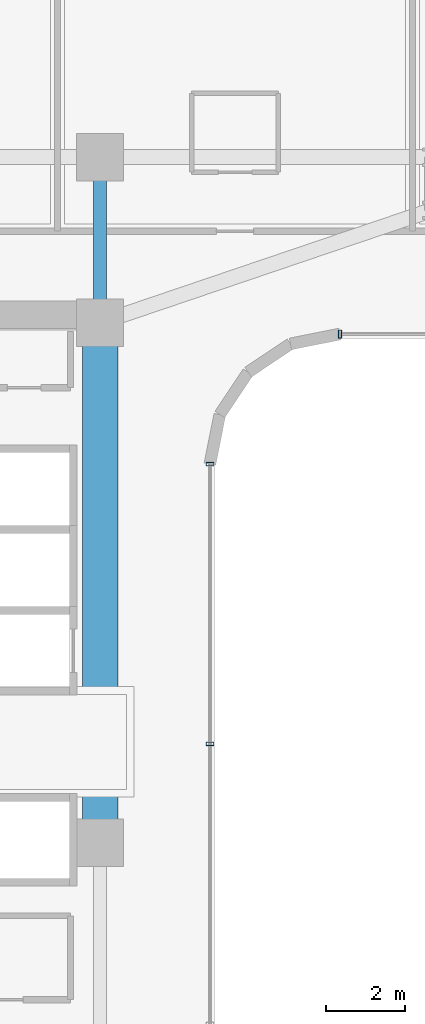
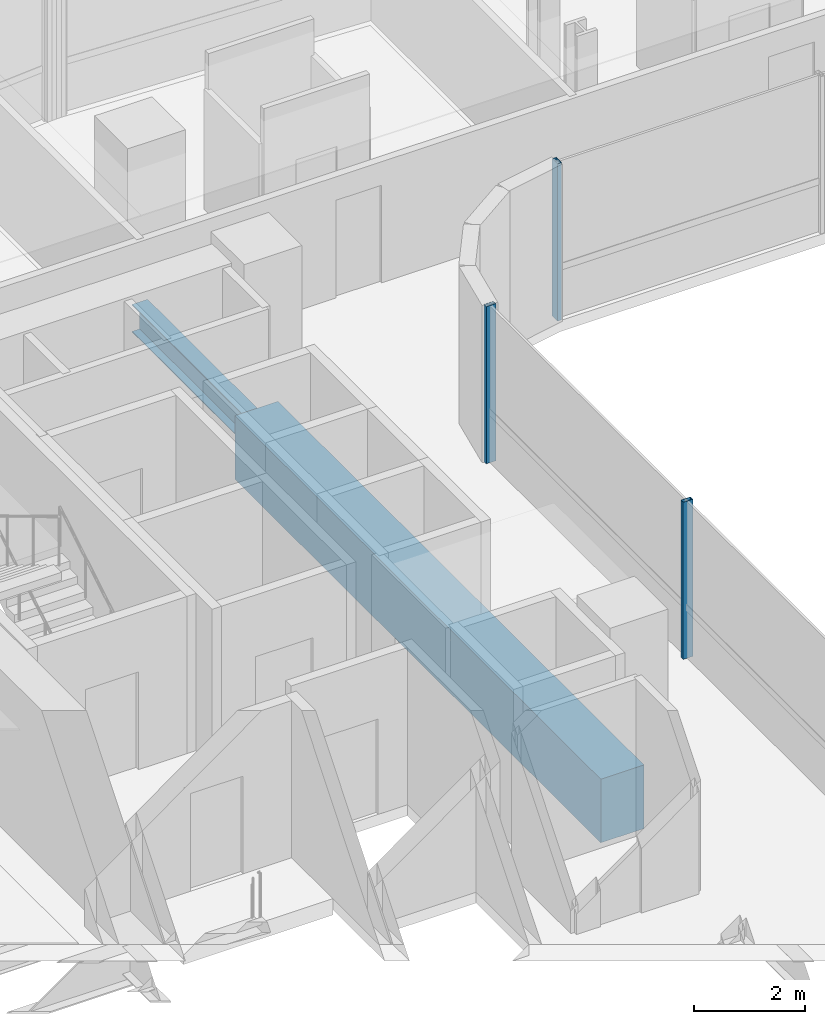
# One storey, part 10 of 35: 3 members, 2 beams, 2 elements without a shape of their own.
"""IFC4 building model written with IfcOpenShell, lengths in metres."""

from ifc_helpers import new_model, si_unit, direction, frame, origin, origin_2d, place, context, subcontext, project, spatial, rectangle, hollow_rectangle, i_section, extrude, source, transform, mapped, material, material_profile, profile_set, type_object, element, aggregate, save


model = new_model("IFC4")

# Units and contexts
model_context = context("Model", 3, precision=1e-05, world=origin(), true_north=direction((0.0, 1.0)))
body_context = subcontext(model_context, "Body", "Model", "MODEL_VIEW")
ifc_project = project(units=[si_unit("LENGTHUNIT", "METRE"), si_unit("AREAUNIT", "SQUARE_METRE"), si_unit("VOLUMEUNIT", "CUBIC_METRE"), si_unit("PLANEANGLEUNIT", "RADIAN"), si_unit("MASSUNIT", "GRAM", prefix="KILO")], contexts=[model_context])

# Site, building, storey
site_placement = place(None, origin())
site = spatial("IfcSite", under=ifc_project, at=site_placement, CompositionType="ELEMENT")
building_placement = place(site_placement, origin())
building = spatial("IfcBuilding", under=site, at=building_placement, Name="Valdorenza Pilgrim Sanctuary Tower", CompositionType="ELEMENT")
storey_placement = place(building_placement, frame((0.0, 0.0, 116.800048828125)))
storey = spatial("IfcBuildingStorey", under=building, at=storey_placement, Name="L29", CompositionType="ELEMENT", Elevation=116.800048828125)

# Beams
ifc_material_1 = material(Name="Concrete C60/75", Category="concrete")
ifc_material_profile_1 = material_profile(ifc_material_1, rectangle(XDim=0.89990234375, YDim=1.39990234375, at=origin_2d()), Name="RC 1400x900")
ifc_profile_set_1 = profile_set([ifc_material_profile_1], Name="Concrete C60/75")
beam_type_1 = type_object("IfcBeamType", Name="STR-BM-LNT-1400", PredefinedType="LINTEL", material=ifc_profile_set_1)
shared_shape_1 = source(origin(), body_context, "Body", "SweptSolid", [
    extrude(rectangle(XDim=0.89990234375, YDim=1.39990234375, at=origin_2d()), origin(), (0.0, 0.0, 1.0), 13.2001953125),
])
beam_1_placement = place(storey_placement, frame((-12.39990234375, -2.60009765625, -0.739990234375), z_axis=(0.0, 1.0, 0.0), x_axis=(-1.0, 0.0, 0.0)))
element("IfcBeam", 1, at=beam_1_placement, inside=storey, type_object=beam_type_1, Name="L29 Core A Coupling Lintel Girder", PredefinedType="LINTEL", context=body_context, shape_type="MappedRepresentation", body=[
    mapped(shared_shape_1, transform((0.0, 0.0, 0.0), x_axis=(1.0, 0.0, 0.0), y_axis=(0.0, 1.0, 0.0), z_axis=(0.0, 0.0, 1.0), scale=1.0)),
])
ifc_material_2 = material(Name="Steel ASTM A992 Grade 50", Category="steel")
ifc_material_profile_2 = material_profile(ifc_material_2, i_section(OverallWidth=0.323974609375, OverallDepth=0.611083984375, WebThickness=0.0126953125, FlangeThickness=0.01904296875, at=origin_2d()), Name="W24X104")
ifc_profile_set_2 = profile_set([ifc_material_profile_2], Name="Steel ASTM A992 Grade 50")
beam_type_2 = type_object("IfcBeamType", Name="STR-BM-GRD-W24B", PredefinedType="BEAM", material=ifc_profile_set_2)
shared_shape_2 = source(origin(), body_context, "Body", "SweptSolid", [
    extrude(i_section(OverallWidth=0.323974609375, OverallDepth=0.611083984375, WebThickness=0.0126953125, FlangeThickness=0.01904296875, at=origin_2d()), origin(), (0.0, 0.0, 1.0), 4.199951171875),
])
beam_2_placement = place(storey_placement, frame((-12.39990234375, 10.60009765625, -0.545654296875), z_axis=(0.0, 1.0, 0.0), x_axis=(-1.0, 0.0, 0.0)))
element("IfcBeam", 2, at=beam_2_placement, inside=storey, type_object=beam_type_2, Name="L29 Core Tie Girder CA-E-N1N2", PredefinedType="BEAM", context=body_context, shape_type="MappedRepresentation", body=[
    mapped(shared_shape_2, transform((0.0, 0.0, 0.0), x_axis=(1.0, 0.0, 0.0), y_axis=(0.0, 1.0, 0.0), z_axis=(0.0, 0.0, 1.0), scale=1.0)),
])

# Curtain wall, member
ifc_material_3 = material(Name="Curtain-wall IGU glazing", Category="glass")
curtain_wall_type = type_object("IfcCurtainWallType", Name="CW-SYS-02", PredefinedType="NOTDEFINED", material=ifc_material_3)
curtain_wall_1_placement = place(storey_placement, origin())
curtain_wall_1 = element("IfcCurtainWall", 3, at=curtain_wall_1_placement, inside=storey, type_object=curtain_wall_type, Name="L29 Curtain Wall CW-L29-1-36", PredefinedType="NOTDEFINED")
ifc_material_4 = material(Name="Anodised aluminium AW-6060", Category="aluminium")
ifc_material_profile_3 = material_profile(ifc_material_4, hollow_rectangle(XDim=0.0849609375, YDim=0.199951171875, WallThickness=0.0048828125, at=origin_2d()), Name="ALU-M 200x85x5")
ifc_profile_set_3 = profile_set([ifc_material_profile_3], Name="Anodised aluminium AW-6060")
member_type = type_object("IfcMemberType", Name="CW-MUL-02", PredefinedType="MULLION", material=ifc_profile_set_3)
shared_shape_3 = source(origin(), body_context, "Body", "SweptSolid", [
    extrude(hollow_rectangle(XDim=0.0849609375, YDim=0.199951171875, WallThickness=0.0048828125, at=origin_2d()), origin(), (0.0, 0.0, 1.0), 3.4599609375),
])
member_1_placement = place(storey_placement, frame((-6.310791015625, 10.31005859375, 0.0), z_axis=(0.0, 0.0, 1.0), x_axis=(-1.0, 0.0, 0.0)))
member_1 = element("IfcMember", 4, at=member_1_placement, type_object=member_type, Name="CW-L29-1-36 Mullion 4", PredefinedType="MULLION", context=body_context, shape_type="MappedRepresentation", body=[
    mapped(shared_shape_3, transform((0.0, 0.0, 0.0), x_axis=(1.0, 0.0, 0.0), y_axis=(0.0, 1.0, 0.0), z_axis=(0.0, 0.0, 1.0), scale=1.0)),
])
aggregate(curtain_wall_1, [member_1])

# Curtain wall, members
curtain_wall_2_placement = place(storey_placement, origin())
curtain_wall_2 = element("IfcCurtainWall", 5, at=curtain_wall_2_placement, inside=storey, type_object=curtain_wall_type, Name="L29 Curtain Wall CW-L29-1-41", PredefinedType="NOTDEFINED")
member_2_placement = place(storey_placement, frame((-9.610107421875, 7.0107421875, 0.0), z_axis=(0.0, 0.0, 1.0), x_axis=(0.0, -1.0, 0.0)))
member_2 = element("IfcMember", 6, at=member_2_placement, type_object=member_type, Name="CW-L29-1-41 Mullion 1", PredefinedType="MULLION", context=body_context, shape_type="MappedRepresentation", body=[
    mapped(shared_shape_3, transform((0.0, 0.0, 0.0), x_axis=(1.0, 0.0, 0.0), y_axis=(0.0, 1.0, 0.0), z_axis=(0.0, 0.0, 1.0), scale=1.0)),
])
member_3_placement = place(storey_placement, frame((-9.610107421875, -0.089111328125, 0.0), z_axis=(0.0, 0.0, 1.0), x_axis=(0.0, -1.0, 0.0)))
member_3 = element("IfcMember", 7, at=member_3_placement, type_object=member_type, Name="CW-L29-1-41 Mullion 2", PredefinedType="MULLION", context=body_context, shape_type="MappedRepresentation", body=[
    mapped(shared_shape_3, transform((0.0, 0.0, 0.0), x_axis=(1.0, 0.0, 0.0), y_axis=(0.0, 1.0, 0.0), z_axis=(0.0, 0.0, 1.0), scale=1.0)),
])
aggregate(curtain_wall_2, [member_2, member_3])

save(model, "model.ifc")
